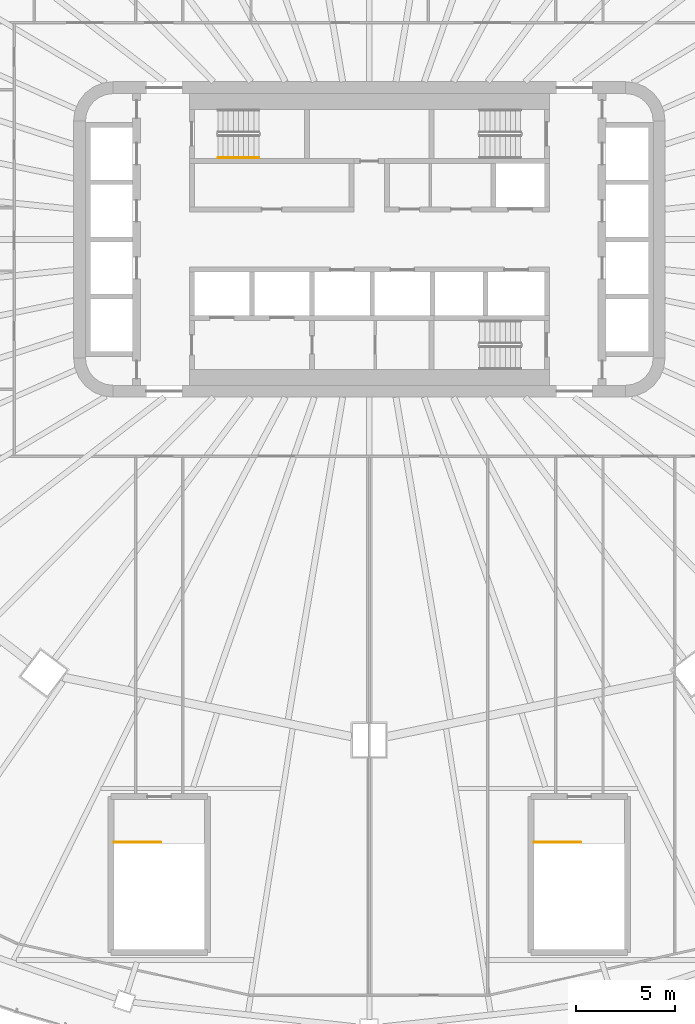
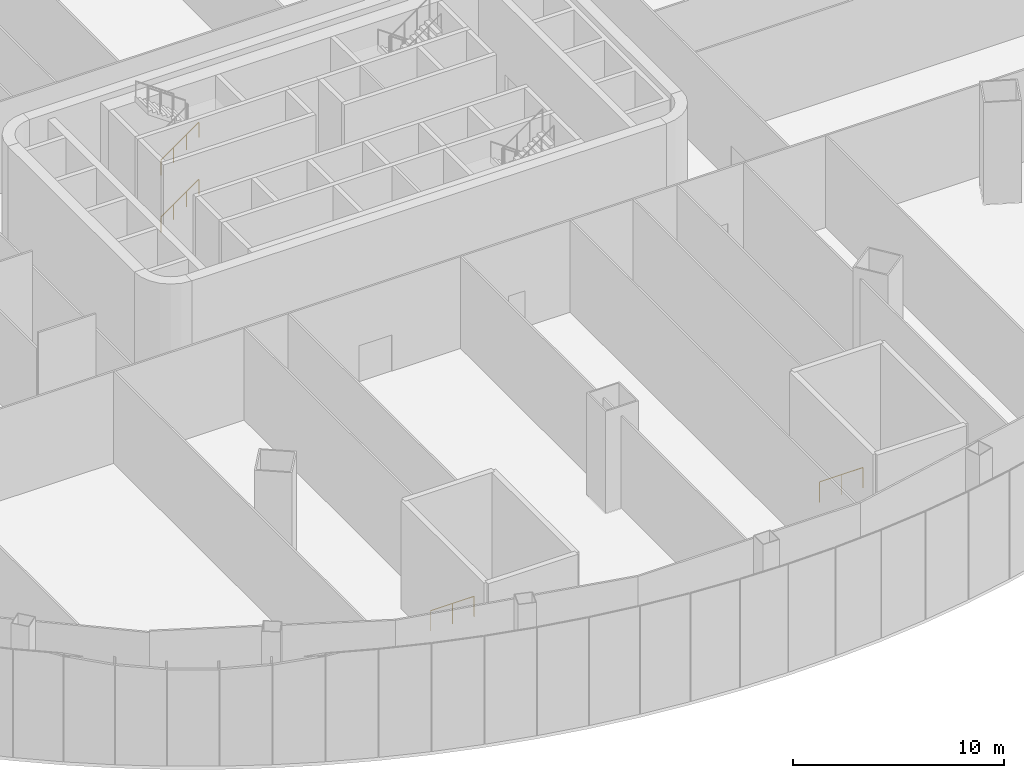
# One storey, part 31 of 33: 4 railings.
"""IFC4 building model written with IfcOpenShell, lengths in metres."""

from ifc_helpers import new_model, si_unit, direction, frame, origin, origin_2d, place, context, subcontext, project, spatial, circle, extrude, material, type_object, element, save


model = new_model("IFC4")

# Units and contexts
model_context = context("Model", 3, precision=1e-05, world=origin(), true_north=direction((0.0, 1.0)))
body_context = subcontext(model_context, "Body", "Model", "MODEL_VIEW")
ifc_project = project(units=[si_unit("LENGTHUNIT", "METRE"), si_unit("AREAUNIT", "SQUARE_METRE"), si_unit("VOLUMEUNIT", "CUBIC_METRE"), si_unit("PLANEANGLEUNIT", "RADIAN"), si_unit("MASSUNIT", "GRAM", prefix="KILO")], contexts=[model_context])

# Site, building, storey
site_placement = place(None, origin())
site = spatial("IfcSite", under=ifc_project, at=site_placement, CompositionType="ELEMENT")
building_placement = place(site_placement, origin())
building = spatial("IfcBuilding", under=site, at=building_placement, Name="Sahrelin Media Tower", CompositionType="ELEMENT")
storey_placement = place(building_placement, frame((0.0, 0.0, 37.39990234375)))
storey = spatial("IfcBuildingStorey", under=building, at=storey_placement, Name="L05", CompositionType="ELEMENT", Elevation=37.39990234375)

# Railings
ifc_material = material(Name="Steel S355", Category="steel")
railing_type_1 = type_object("IfcRailingType", Name="Stair guard 1200", PredefinedType="GUARDRAIL", material=ifc_material)
for number, where, name in (
    (1, (-12.949951171875, -30.574951171875, 0.0), "L05 PS3 top well guard 1"),
    (2, (8.35009765625, -30.574951171875, 0.0), "L05 PS4 top well guard 1"),
):
    element("IfcRailing", number, at=place(storey_placement, frame(where)), inside=storey, type_object=railing_type_1, Name=name, PredefinedType="GUARDRAIL", context=body_context, shape_type="SweptSolid", body=[
        extrude(circle(Radius=0.02392578125, at=origin_2d()), frame((0.0, 0.0, 1.17578125), z_axis=(1.0, 0.0, 0.0), x_axis=(0.0, 1.0, 0.0)), (0.0, 0.0, 1.0), 2.375),
        extrude(circle(Radius=0.02099609375, at=origin_2d()), origin(), (0.0, 0.0, 1.0), 1.15185546875),
        extrude(circle(Radius=0.02099609375, at=origin_2d()), frame((1.1875, 0.0, 0.0)), (0.0, 0.0, 1.0), 1.15185546875),
        extrude(circle(Radius=0.02099609375, at=origin_2d()), frame((2.375, 0.0, 0.0)), (0.0, 0.0, 1.0), 1.15185546875),
    ])
railing_type_2 = type_object("IfcRailingType", Name="Stair handrail 900", PredefinedType="HANDRAIL", material=ifc_material)
for number, where, name in (
    (3, (-7.675048828125, 4.14990234375, 0.183349609375), "L05 ST1 stair handrail 1"),
    (4, (-7.675048828125, 4.14990234375, 3.4833984375), "L05 ST1 stair handrail 3"),
):
    element("IfcRailing", number, at=place(storey_placement, frame(where)), inside=storey, type_object=railing_type_2, Name=name, PredefinedType="HANDRAIL", context=body_context, shape_type="SweptSolid", body=[
        extrude(circle(Radius=0.02392578125, at=origin_2d()), frame((0.0, 0.0, 0.8759765625), z_axis=(0.81724423362, 0.0, 0.576291473661), x_axis=(0.0, 1.0, 0.0)), (0.0, 0.0, 1.0), 2.545166015625),
        extrude(circle(Radius=0.02099609375, at=origin_2d()), origin(), (0.0, 0.0, 1.0), 0.851806640625),
        extrude(circle(Radius=0.02099609375, at=origin_2d()), frame((0.693359375, 0.0, 0.489013671875)), (0.0, 0.0, 1.0), 0.851806640625),
        extrude(circle(Radius=0.02099609375, at=origin_2d()), frame((1.38671875, 0.0, 0.977783203125)), (0.0, 0.0, 1.0), 0.851806640625),
        extrude(circle(Radius=0.02099609375, at=origin_2d()), frame((2.080078125, 0.0, 1.466796875)), (0.0, 0.0, 1.0), 0.851806640625),
    ])

save(model, "model.ifc")
